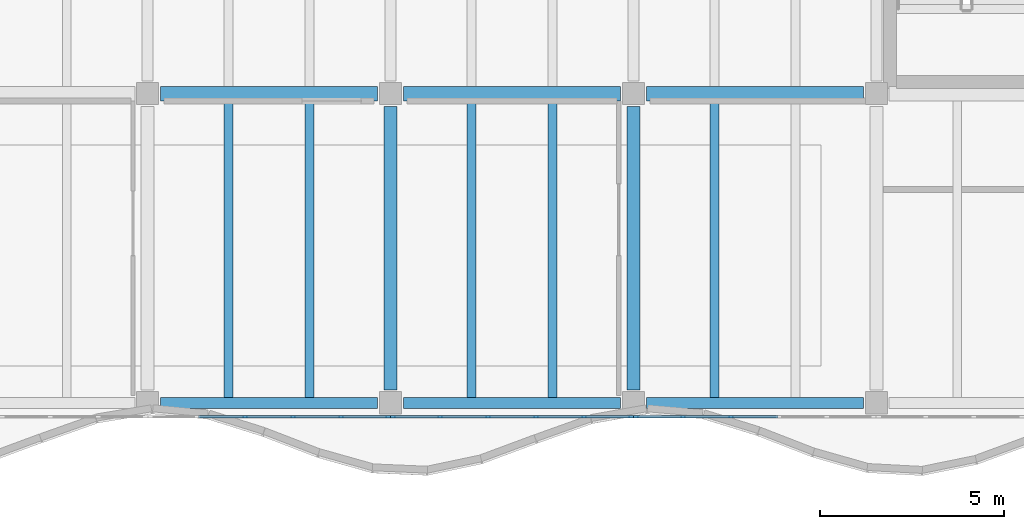
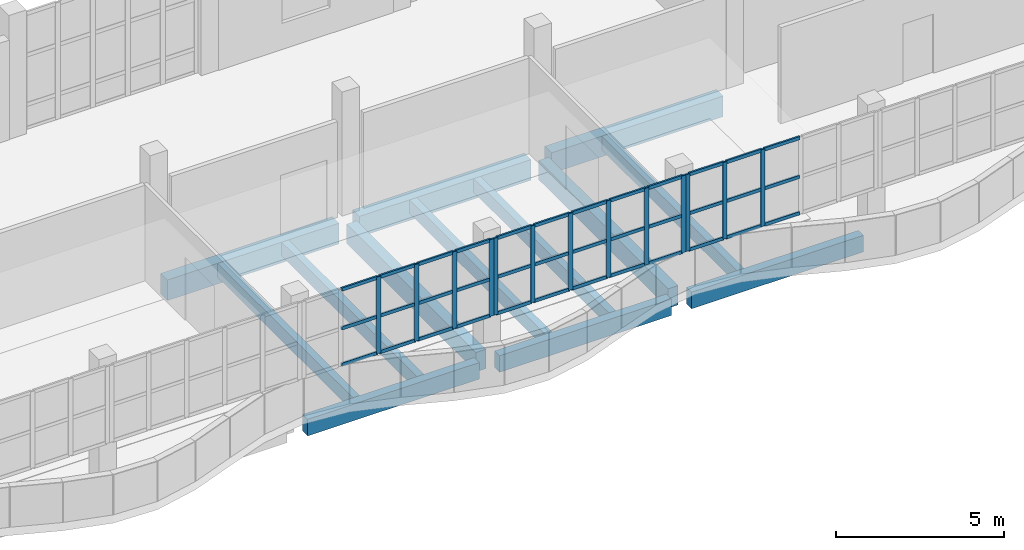
# One storey, part 12 of 76: 49 members, 13 beams, 3 elements without a shape of their own.
"""IFC4 building model written with IfcOpenShell, lengths in metres."""

from ifc_helpers import new_model, si_unit, direction, frame, origin, origin_2d, place, context, subcontext, project, spatial, rectangle, extrude, material, material_profile, profile_set, type_object, element, aggregate, save


model = new_model("IFC4")

# Units and contexts
model_context = context("Model", 3, precision=1e-05, world=origin(), true_north=direction((0.0, 1.0)))
body_context = subcontext(model_context, "Body", "Model", "MODEL_VIEW")
ifc_project = project(units=[si_unit("LENGTHUNIT", "METRE"), si_unit("AREAUNIT", "SQUARE_METRE"), si_unit("VOLUMEUNIT", "CUBIC_METRE"), si_unit("PLANEANGLEUNIT", "RADIAN"), si_unit("MASSUNIT", "GRAM", prefix="KILO")], contexts=[model_context])

# Site, building, storey
site_placement = place(None, origin())
site = spatial("IfcSite", under=ifc_project, at=site_placement, CompositionType="ELEMENT")
building_placement = place(site_placement, origin())
building = spatial("IfcBuilding", under=site, at=building_placement, Name="Qaldarim Faculty of Natural and Applied Sciences", CompositionType="ELEMENT")
storey_placement = place(building_placement, frame((0.0, 0.0, 9.89990234375)))
storey = spatial("IfcBuildingStorey", under=building, at=storey_placement, Name="L02", CompositionType="ELEMENT", Elevation=9.89990234375)

# Beams
ifc_material_1 = material(Name="Concrete C40/50", Category="concrete")
ifc_material_profile_1 = material_profile(ifc_material_1, rectangle(XDim=0.239990234375, YDim=0.5, at=origin_2d()), Name="RC-J240x500")
ifc_profile_set_1 = profile_set([ifc_material_profile_1], Name="Concrete C40/50")
beam_type_1 = type_object("IfcBeamType", Name="HeavyJoist-RC240x500", PredefinedType="JOIST", material=ifc_profile_set_1)
for number, where, z_axis, x_axis, name in (
    (1, (81.39990234375, 100.949951171875, -0.5498046875), (0.0, 1.0, 0.0), (-1.0, 0.0, 0.0), "Laboratory joist L01 bay X13Y13-1"),
    (2, (83.60009765625, 100.949951171875, -0.5498046875), (0.0, 1.0, 0.0), (-1.0, 0.0, 0.0), "Laboratory joist L01 bay X13Y13-2"),
    (3, (88.0, 100.949951171875, -0.5498046875), (0.0, 1.0, 0.0), (-1.0, 0.0, 0.0), "Laboratory joist L01 bay X14Y13-1"),
    (4, (90.199951171875, 100.949951171875, -0.5498046875), (0.0, 1.0, 0.0), (-1.0, 0.0, 0.0), "Laboratory joist L01 bay X14Y13-2"),
    (5, (94.60009765625, 100.949951171875, -0.5498046875), (0.0, 1.0, 0.0), (-1.0, 0.0, 0.0), "Laboratory joist L01 bay X15Y13-1"),
):
    element("IfcBeam", number, at=place(storey_placement, frame(where, z_axis=z_axis, x_axis=x_axis)), inside=storey, type_object=beam_type_1, Name=name, PredefinedType="JOIST", context=body_context, shape_type="SweptSolid", body=[
        extrude(rectangle(XDim=0.239990234375, YDim=0.5, at=origin_2d()), origin(), (0.0, 0.0, 1.0), 8.050048828125),
    ])
ifc_material_2 = material(Name="Concrete C50/60", Category="concrete")
ifc_material_profile_2 = material_profile(ifc_material_2, rectangle(XDim=0.39990234375, YDim=0.75, at=origin_2d()), Name="RC-B400x750")
ifc_profile_set_2 = profile_set([ifc_material_profile_2], Name="Concrete C50/60")
beam_type_2 = type_object("IfcBeamType", Name="LabGirder-RC400x750", PredefinedType="BEAM", material=ifc_profile_set_2)
beam_1_placement = place(storey_placement, frame((79.550048828125, 109.199951171875, -0.6748046875), z_axis=(1.0, 0.0, 0.0), x_axis=(0.0, 1.0, 0.0)))
element("IfcBeam", 6, at=beam_1_placement, inside=storey, type_object=beam_type_2, Name="Beam RC-B400x750 L01 X13-X14/Y14", PredefinedType="BEAM", context=body_context, shape_type="SweptSolid", body=[
    extrude(rectangle(XDim=0.39990234375, YDim=0.75, at=origin_2d()), origin(), (0.0, 0.0, 1.0), 5.89990234375),
])
beam_2_placement = place(storey_placement, frame((86.14990234375, 109.199951171875, -0.6748046875), z_axis=(1.0, 0.0, 0.0), x_axis=(0.0, 1.0, 0.0)))
element("IfcBeam", 7, at=beam_2_placement, inside=storey, type_object=beam_type_2, Name="Beam RC-B400x750 L01 X14-X15/Y14", PredefinedType="BEAM", context=body_context, shape_type="SweptSolid", body=[
    extrude(rectangle(XDim=0.39990234375, YDim=0.75, at=origin_2d()), origin(), (0.0, 0.0, 1.0), 5.900146484375),
])
beam_3_placement = place(storey_placement, frame((92.75, 109.199951171875, -0.6748046875), z_axis=(1.0, 0.0, 0.0), x_axis=(0.0, 1.0, 0.0)))
element("IfcBeam", 8, at=beam_3_placement, inside=storey, type_object=beam_type_2, Name="Beam RC-B400x750 L01 X15-X16/Y14", PredefinedType="BEAM", context=body_context, shape_type="SweptSolid", body=[
    extrude(rectangle(XDim=0.39990234375, YDim=0.75, at=origin_2d()), origin(), (0.0, 0.0, 1.0), 5.89990234375),
])

# Curtain wall, members
ifc_material_3 = material(Name="Anodised aluminium AW-6063", Category="aluminium")
curtain_wall_type = type_object("IfcCurtainWallType", Name="CurtainWallSystem-M1400", PredefinedType="USERDEFINED", material=ifc_material_3)
curtain_wall_1_placement = place(storey_placement, origin())
curtain_wall_1 = element("IfcCurtainWall", 9, at=curtain_wall_1_placement, inside=storey, type_object=curtain_wall_type, Name="Curtain wall CW-V4RIB-L02-X13", ObjectType="STICK CURTAIN WALL", PredefinedType="USERDEFINED")
ifc_material_profile_3 = material_profile(ifc_material_3, rectangle(XDim=0.06005859375, YDim=0.14990234375, at=origin_2d()), Name="ALU-M60x150")
ifc_profile_set_3 = profile_set([ifc_material_profile_3], Name="Anodised aluminium AW-6063")
member_type_1 = type_object("IfcMemberType", Name="Mullion-ALU60x150", PredefinedType="MULLION", material=ifc_profile_set_3)
member_1_placement = place(storey_placement, frame((81.847900390625, 100.419921875, 1.4501953125), z_axis=(0.0, 0.0, 1.0), x_axis=(0.0, 1.0, 0.0)))
member_1 = element("IfcMember", 10, at=member_1_placement, type_object=member_type_1, Name="Mullion 3 of CW-V4RIB-L02-X13", PredefinedType="MULLION", context=body_context, shape_type="SweptSolid", body=[
    extrude(rectangle(XDim=0.06005859375, YDim=0.14990234375, at=origin_2d()), origin(), (0.0, 0.0, 1.0), 2.789794921875),
])
member_2_placement = place(storey_placement, frame((83.152099609375, 100.419921875, 1.4501953125), z_axis=(0.0, 0.0, 1.0), x_axis=(0.0, 1.0, 0.0)))
member_2 = element("IfcMember", 11, at=member_2_placement, type_object=member_type_1, Name="Mullion 4 of CW-V4RIB-L02-X13", PredefinedType="MULLION", context=body_context, shape_type="SweptSolid", body=[
    extrude(rectangle(XDim=0.06005859375, YDim=0.14990234375, at=origin_2d()), origin(), (0.0, 0.0, 1.0), 2.789794921875),
])
member_3_placement = place(storey_placement, frame((84.4560546875, 100.419921875, 1.4501953125), z_axis=(0.0, 0.0, 1.0), x_axis=(0.0, 1.0, 0.0)))
member_3 = element("IfcMember", 12, at=member_3_placement, type_object=member_type_1, Name="Mullion 5 of CW-V4RIB-L02-X13", PredefinedType="MULLION", context=body_context, shape_type="SweptSolid", body=[
    extrude(rectangle(XDim=0.06005859375, YDim=0.14990234375, at=origin_2d()), origin(), (0.0, 0.0, 1.0), 2.789794921875),
])
member_4_placement = place(storey_placement, frame((85.72998046875, 100.419921875, 1.4501953125), z_axis=(0.0, 0.0, 1.0), x_axis=(0.0, 1.0, 0.0)))
member_4 = element("IfcMember", 13, at=member_4_placement, type_object=member_type_1, Name="Mullion 6 of CW-V4RIB-L02-X13", PredefinedType="MULLION", context=body_context, shape_type="SweptSolid", body=[
    extrude(rectangle(XDim=0.06005859375, YDim=0.14990234375, at=origin_2d()), origin(), (0.0, 0.0, 1.0), 2.789794921875),
])

curtain_wall_2_placement = place(storey_placement, origin())
curtain_wall_2 = element("IfcCurtainWall", 14, at=curtain_wall_2_placement, inside=storey, type_object=curtain_wall_type, Name="Curtain wall CW-V4RIB-L02-X14", ObjectType="STICK CURTAIN WALL", PredefinedType="USERDEFINED")
member_5_placement = place(storey_placement, frame((85.8701171875, 100.419921875, 1.4501953125), z_axis=(0.0, 0.0, 1.0), x_axis=(0.0, 1.0, 0.0)))
member_5 = element("IfcMember", 15, at=member_5_placement, type_object=member_type_1, Name="Mullion 1 of CW-V4RIB-L02-X14", PredefinedType="MULLION", context=body_context, shape_type="SweptSolid", body=[
    extrude(rectangle(XDim=0.06005859375, YDim=0.14990234375, at=origin_2d()), origin(), (0.0, 0.0, 1.0), 2.789794921875),
])
member_6_placement = place(storey_placement, frame((87.14404296875, 100.419921875, 1.4501953125), z_axis=(0.0, 0.0, 1.0), x_axis=(0.0, 1.0, 0.0)))
member_6 = element("IfcMember", 16, at=member_6_placement, type_object=member_type_1, Name="Mullion 2 of CW-V4RIB-L02-X14", PredefinedType="MULLION", context=body_context, shape_type="SweptSolid", body=[
    extrude(rectangle(XDim=0.06005859375, YDim=0.14990234375, at=origin_2d()), origin(), (0.0, 0.0, 1.0), 2.789794921875),
])
member_7_placement = place(storey_placement, frame((88.447998046875, 100.419921875, 1.4501953125), z_axis=(0.0, 0.0, 1.0), x_axis=(0.0, 1.0, 0.0)))
member_7 = element("IfcMember", 17, at=member_7_placement, type_object=member_type_1, Name="Mullion 3 of CW-V4RIB-L02-X14", PredefinedType="MULLION", context=body_context, shape_type="SweptSolid", body=[
    extrude(rectangle(XDim=0.06005859375, YDim=0.14990234375, at=origin_2d()), origin(), (0.0, 0.0, 1.0), 2.789794921875),
])
member_8_placement = place(storey_placement, frame((89.751953125, 100.419921875, 1.4501953125), z_axis=(0.0, 0.0, 1.0), x_axis=(0.0, 1.0, 0.0)))
member_8 = element("IfcMember", 18, at=member_8_placement, type_object=member_type_1, Name="Mullion 4 of CW-V4RIB-L02-X14", PredefinedType="MULLION", context=body_context, shape_type="SweptSolid", body=[
    extrude(rectangle(XDim=0.06005859375, YDim=0.14990234375, at=origin_2d()), origin(), (0.0, 0.0, 1.0), 2.789794921875),
])
member_9_placement = place(storey_placement, frame((91.055908203125, 100.419921875, 1.4501953125), z_axis=(0.0, 0.0, 1.0), x_axis=(0.0, 1.0, 0.0)))
member_9 = element("IfcMember", 19, at=member_9_placement, type_object=member_type_1, Name="Mullion 5 of CW-V4RIB-L02-X14", PredefinedType="MULLION", context=body_context, shape_type="SweptSolid", body=[
    extrude(rectangle(XDim=0.06005859375, YDim=0.14990234375, at=origin_2d()), origin(), (0.0, 0.0, 1.0), 2.789794921875),
])
member_10_placement = place(storey_placement, frame((92.330078125, 100.419921875, 1.4501953125), z_axis=(0.0, 0.0, 1.0), x_axis=(0.0, 1.0, 0.0)))
member_10 = element("IfcMember", 20, at=member_10_placement, type_object=member_type_1, Name="Mullion 6 of CW-V4RIB-L02-X14", PredefinedType="MULLION", context=body_context, shape_type="SweptSolid", body=[
    extrude(rectangle(XDim=0.06005859375, YDim=0.14990234375, at=origin_2d()), origin(), (0.0, 0.0, 1.0), 2.789794921875),
])

curtain_wall_3_placement = place(storey_placement, origin())
curtain_wall_3 = element("IfcCurtainWall", 21, at=curtain_wall_3_placement, inside=storey, type_object=curtain_wall_type, Name="Curtain wall CW-V4RIB-L02-X15", ObjectType="STICK CURTAIN WALL", PredefinedType="USERDEFINED")
member_11_placement = place(storey_placement, frame((92.469970703125, 100.419921875, 1.4501953125), z_axis=(0.0, 0.0, 1.0), x_axis=(0.0, 1.0, 0.0)))
member_11 = element("IfcMember", 22, at=member_11_placement, type_object=member_type_1, Name="Mullion 1 of CW-V4RIB-L02-X15", PredefinedType="MULLION", context=body_context, shape_type="SweptSolid", body=[
    extrude(rectangle(XDim=0.06005859375, YDim=0.14990234375, at=origin_2d()), origin(), (0.0, 0.0, 1.0), 2.789794921875),
])
member_12_placement = place(storey_placement, frame((93.743896484375, 100.419921875, 1.4501953125), z_axis=(0.0, 0.0, 1.0), x_axis=(0.0, 1.0, 0.0)))
member_12 = element("IfcMember", 23, at=member_12_placement, type_object=member_type_1, Name="Mullion 2 of CW-V4RIB-L02-X15", PredefinedType="MULLION", context=body_context, shape_type="SweptSolid", body=[
    extrude(rectangle(XDim=0.06005859375, YDim=0.14990234375, at=origin_2d()), origin(), (0.0, 0.0, 1.0), 2.789794921875),
])
member_13_placement = place(storey_placement, frame((95.048095703125, 100.419921875, 1.4501953125), z_axis=(0.0, 0.0, 1.0), x_axis=(0.0, 1.0, 0.0)))
member_13 = element("IfcMember", 24, at=member_13_placement, type_object=member_type_1, Name="Mullion 3 of CW-V4RIB-L02-X15", PredefinedType="MULLION", context=body_context, shape_type="SweptSolid", body=[
    extrude(rectangle(XDim=0.06005859375, YDim=0.14990234375, at=origin_2d()), origin(), (0.0, 0.0, 1.0), 2.789794921875),
])

# Beams
ifc_material_profile_4 = material_profile(ifc_material_1, rectangle(XDim=0.35009765625, YDim=0.699951171875, at=origin_2d()), Name="RC-B350x700")
ifc_profile_set_4 = profile_set([ifc_material_profile_4], Name="Concrete C40/50")
beam_type_3 = type_object("IfcBeamType", Name="PrimaryGirder-RC350x700", PredefinedType="BEAM", material=ifc_profile_set_4)
for number, where, z_axis, x_axis, name in (
    (25, (85.800048828125, 101.14990234375, -0.64990234375), (0.0, 1.0, 0.0), (-1.0, 0.0, 0.0), "Beam RC-B350x700 L01 X14/Y13-Y14"),
    (26, (92.39990234375, 101.14990234375, -0.64990234375), (0.0, 1.0, 0.0), (-1.0, 0.0, 0.0), "Beam RC-B350x700 L01 X15/Y13-Y14"),
):
    element("IfcBeam", number, at=place(storey_placement, frame(where, z_axis=z_axis, x_axis=x_axis)), inside=storey, type_object=beam_type_3, Name=name, PredefinedType="BEAM", context=body_context, shape_type="SweptSolid", body=[
        extrude(rectangle(XDim=0.35009765625, YDim=0.699951171875, at=origin_2d()), origin(), (0.0, 0.0, 1.0), 7.7001953125),
    ])
ifc_material_4 = material(Name="Precast concrete C40/50", Category="concrete")
ifc_material_profile_5 = material_profile(ifc_material_4, rectangle(XDim=0.300048828125, YDim=0.60009765625, at=origin_2d()), Name="RC-SP300x600")
ifc_profile_set_5 = profile_set([ifc_material_profile_5], Name="Precast concrete C40/50")
beam_type_4 = type_object("IfcBeamType", Name="SpandrelBeam-RC300x600", PredefinedType="SPANDREL", material=ifc_profile_set_5)
beam_4_placement = place(storey_placement, frame((79.550048828125, 100.800048828125, -0.599853515625), z_axis=(1.0, 0.0, 0.0), x_axis=(0.0, 1.0, 0.0)))
element("IfcBeam", 27, at=beam_4_placement, inside=storey, type_object=beam_type_4, Name="Beam RC-SP300x600 L01 X13-X14/Y13", PredefinedType="SPANDREL", context=body_context, shape_type="SweptSolid", body=[
    extrude(rectangle(XDim=0.300048828125, YDim=0.60009765625, at=origin_2d()), origin(), (0.0, 0.0, 1.0), 5.89990234375),
])
beam_5_placement = place(storey_placement, frame((86.14990234375, 100.800048828125, -0.599853515625), z_axis=(1.0, 0.0, 0.0), x_axis=(0.0, 1.0, 0.0)))
element("IfcBeam", 28, at=beam_5_placement, inside=storey, type_object=beam_type_4, Name="Beam RC-SP300x600 L01 X14-X15/Y13", PredefinedType="SPANDREL", context=body_context, shape_type="SweptSolid", body=[
    extrude(rectangle(XDim=0.300048828125, YDim=0.60009765625, at=origin_2d()), origin(), (0.0, 0.0, 1.0), 5.900146484375),
])
beam_6_placement = place(storey_placement, frame((92.75, 100.800048828125, -0.599853515625), z_axis=(1.0, 0.0, 0.0), x_axis=(0.0, 1.0, 0.0)))
element("IfcBeam", 29, at=beam_6_placement, inside=storey, type_object=beam_type_4, Name="Beam RC-SP300x600 L01 X15-X16/Y13", PredefinedType="SPANDREL", context=body_context, shape_type="SweptSolid", body=[
    extrude(rectangle(XDim=0.300048828125, YDim=0.60009765625, at=origin_2d()), origin(), (0.0, 0.0, 1.0), 5.89990234375),
])

# Member
ifc_material_profile_6 = material_profile(ifc_material_3, rectangle(XDim=0.06005859375, YDim=0.1201171875, at=origin_2d()), Name="ALU-T60x120")
ifc_profile_set_6 = profile_set([ifc_material_profile_6], Name="Anodised aluminium AW-6063")
member_type_2 = type_object("IfcMemberType", Name="Transom-ALU60x120", PredefinedType="USERDEFINED", material=ifc_profile_set_6)
member_14_placement = place(storey_placement, frame((80.573974609375, 100.419921875, 1.47998046875), z_axis=(1.0, 0.0, 0.0), x_axis=(0.0, 1.0, 0.0)))
member_14 = element("IfcMember", 30, at=member_14_placement, type_object=member_type_2, Name="Transom 2-1 of CW-V4RIB-L02-X13", ObjectType="TRANSOM", PredefinedType="USERDEFINED", context=body_context, shape_type="SweptSolid", body=[
    extrude(rectangle(XDim=0.06005859375, YDim=0.1201171875, at=origin_2d()), origin(), (0.0, 0.0, 1.0), 1.244140625),
])

member_15_placement = place(storey_placement, frame((80.573974609375, 100.419921875, 2.800048828125), z_axis=(1.0, 0.0, 0.0), x_axis=(0.0, 1.0, 0.0)))
member_15 = element("IfcMember", 31, at=member_15_placement, type_object=member_type_2, Name="Transom 2-2 of CW-V4RIB-L02-X13", ObjectType="TRANSOM", PredefinedType="USERDEFINED", context=body_context, shape_type="SweptSolid", body=[
    extrude(rectangle(XDim=0.06005859375, YDim=0.1201171875, at=origin_2d()), origin(), (0.0, 0.0, 1.0), 1.244140625),
])

member_16_placement = place(storey_placement, frame((80.573974609375, 100.419921875, 4.210205078125), z_axis=(1.0, 0.0, 0.0), x_axis=(0.0, 1.0, 0.0)))
member_16 = element("IfcMember", 32, at=member_16_placement, type_object=member_type_2, Name="Transom 2-3 of CW-V4RIB-L02-X13", ObjectType="TRANSOM", PredefinedType="USERDEFINED", context=body_context, shape_type="SweptSolid", body=[
    extrude(rectangle(XDim=0.06005859375, YDim=0.1201171875, at=origin_2d()), origin(), (0.0, 0.0, 1.0), 1.244140625),
])

member_17_placement = place(storey_placement, frame((81.8779296875, 100.419921875, 1.47998046875), z_axis=(1.0, 0.0, 0.0), x_axis=(0.0, 1.0, 0.0)))
member_17 = element("IfcMember", 33, at=member_17_placement, type_object=member_type_2, Name="Transom 3-1 of CW-V4RIB-L02-X13", ObjectType="TRANSOM", PredefinedType="USERDEFINED", context=body_context, shape_type="SweptSolid", body=[
    extrude(rectangle(XDim=0.06005859375, YDim=0.1201171875, at=origin_2d()), origin(), (0.0, 0.0, 1.0), 1.244140625),
])

member_18_placement = place(storey_placement, frame((81.8779296875, 100.419921875, 2.800048828125), z_axis=(1.0, 0.0, 0.0), x_axis=(0.0, 1.0, 0.0)))
member_18 = element("IfcMember", 34, at=member_18_placement, type_object=member_type_2, Name="Transom 3-2 of CW-V4RIB-L02-X13", ObjectType="TRANSOM", PredefinedType="USERDEFINED", context=body_context, shape_type="SweptSolid", body=[
    extrude(rectangle(XDim=0.06005859375, YDim=0.1201171875, at=origin_2d()), origin(), (0.0, 0.0, 1.0), 1.244140625),
])

member_19_placement = place(storey_placement, frame((81.8779296875, 100.419921875, 4.210205078125), z_axis=(1.0, 0.0, 0.0), x_axis=(0.0, 1.0, 0.0)))
member_19 = element("IfcMember", 35, at=member_19_placement, type_object=member_type_2, Name="Transom 3-3 of CW-V4RIB-L02-X13", ObjectType="TRANSOM", PredefinedType="USERDEFINED", context=body_context, shape_type="SweptSolid", body=[
    extrude(rectangle(XDim=0.06005859375, YDim=0.1201171875, at=origin_2d()), origin(), (0.0, 0.0, 1.0), 1.244140625),
])

member_20_placement = place(storey_placement, frame((83.181884765625, 100.419921875, 1.47998046875), z_axis=(1.0, 0.0, 0.0), x_axis=(0.0, 1.0, 0.0)))
member_20 = element("IfcMember", 36, at=member_20_placement, type_object=member_type_2, Name="Transom 4-1 of CW-V4RIB-L02-X13", ObjectType="TRANSOM", PredefinedType="USERDEFINED", context=body_context, shape_type="SweptSolid", body=[
    extrude(rectangle(XDim=0.06005859375, YDim=0.1201171875, at=origin_2d()), origin(), (0.0, 0.0, 1.0), 1.244140625),
])

member_21_placement = place(storey_placement, frame((83.181884765625, 100.419921875, 2.800048828125), z_axis=(1.0, 0.0, 0.0), x_axis=(0.0, 1.0, 0.0)))
member_21 = element("IfcMember", 37, at=member_21_placement, type_object=member_type_2, Name="Transom 4-2 of CW-V4RIB-L02-X13", ObjectType="TRANSOM", PredefinedType="USERDEFINED", context=body_context, shape_type="SweptSolid", body=[
    extrude(rectangle(XDim=0.06005859375, YDim=0.1201171875, at=origin_2d()), origin(), (0.0, 0.0, 1.0), 1.244140625),
])

member_22_placement = place(storey_placement, frame((83.181884765625, 100.419921875, 4.210205078125), z_axis=(1.0, 0.0, 0.0), x_axis=(0.0, 1.0, 0.0)))
member_22 = element("IfcMember", 38, at=member_22_placement, type_object=member_type_2, Name="Transom 4-3 of CW-V4RIB-L02-X13", ObjectType="TRANSOM", PredefinedType="USERDEFINED", context=body_context, shape_type="SweptSolid", body=[
    extrude(rectangle(XDim=0.06005859375, YDim=0.1201171875, at=origin_2d()), origin(), (0.0, 0.0, 1.0), 1.244140625),
])

member_23_placement = place(storey_placement, frame((84.486083984375, 100.419921875, 1.47998046875), z_axis=(1.0, 0.0, 0.0), x_axis=(0.0, 1.0, 0.0)))
member_23 = element("IfcMember", 39, at=member_23_placement, type_object=member_type_2, Name="Transom 5-1 of CW-V4RIB-L02-X13", ObjectType="TRANSOM", PredefinedType="USERDEFINED", context=body_context, shape_type="SweptSolid", body=[
    extrude(rectangle(XDim=0.06005859375, YDim=0.1201171875, at=origin_2d()), origin(), (0.0, 0.0, 1.0), 1.2138671875),
])

member_24_placement = place(storey_placement, frame((84.486083984375, 100.419921875, 2.800048828125), z_axis=(1.0, 0.0, 0.0), x_axis=(0.0, 1.0, 0.0)))
member_24 = element("IfcMember", 40, at=member_24_placement, type_object=member_type_2, Name="Transom 5-2 of CW-V4RIB-L02-X13", ObjectType="TRANSOM", PredefinedType="USERDEFINED", context=body_context, shape_type="SweptSolid", body=[
    extrude(rectangle(XDim=0.06005859375, YDim=0.1201171875, at=origin_2d()), origin(), (0.0, 0.0, 1.0), 1.2138671875),
])

member_25_placement = place(storey_placement, frame((84.486083984375, 100.419921875, 4.210205078125), z_axis=(1.0, 0.0, 0.0), x_axis=(0.0, 1.0, 0.0)))
member_25 = element("IfcMember", 41, at=member_25_placement, type_object=member_type_2, Name="Transom 5-3 of CW-V4RIB-L02-X13", ObjectType="TRANSOM", PredefinedType="USERDEFINED", context=body_context, shape_type="SweptSolid", body=[
    extrude(rectangle(XDim=0.06005859375, YDim=0.1201171875, at=origin_2d()), origin(), (0.0, 0.0, 1.0), 1.2138671875),
])

aggregate(curtain_wall_1, [member_1, member_2, member_3, member_4, member_14, member_15, member_16, member_17, member_18, member_19, member_20, member_21, member_22, member_23, member_24, member_25])

member_26_placement = place(storey_placement, frame((85.89990234375, 100.419921875, 1.47998046875), z_axis=(1.0, 0.0, 0.0), x_axis=(0.0, 1.0, 0.0)))
member_26 = element("IfcMember", 42, at=member_26_placement, type_object=member_type_2, Name="Transom 1-1 of CW-V4RIB-L02-X14", ObjectType="TRANSOM", PredefinedType="USERDEFINED", context=body_context, shape_type="SweptSolid", body=[
    extrude(rectangle(XDim=0.06005859375, YDim=0.1201171875, at=origin_2d()), origin(), (0.0, 0.0, 1.0), 1.214111328125),
])

member_27_placement = place(storey_placement, frame((85.89990234375, 100.419921875, 2.800048828125), z_axis=(1.0, 0.0, 0.0), x_axis=(0.0, 1.0, 0.0)))
member_27 = element("IfcMember", 43, at=member_27_placement, type_object=member_type_2, Name="Transom 1-2 of CW-V4RIB-L02-X14", ObjectType="TRANSOM", PredefinedType="USERDEFINED", context=body_context, shape_type="SweptSolid", body=[
    extrude(rectangle(XDim=0.06005859375, YDim=0.1201171875, at=origin_2d()), origin(), (0.0, 0.0, 1.0), 1.214111328125),
])

member_28_placement = place(storey_placement, frame((85.89990234375, 100.419921875, 4.210205078125), z_axis=(1.0, 0.0, 0.0), x_axis=(0.0, 1.0, 0.0)))
member_28 = element("IfcMember", 44, at=member_28_placement, type_object=member_type_2, Name="Transom 1-3 of CW-V4RIB-L02-X14", ObjectType="TRANSOM", PredefinedType="USERDEFINED", context=body_context, shape_type="SweptSolid", body=[
    extrude(rectangle(XDim=0.06005859375, YDim=0.1201171875, at=origin_2d()), origin(), (0.0, 0.0, 1.0), 1.214111328125),
])

member_29_placement = place(storey_placement, frame((87.174072265625, 100.419921875, 1.47998046875), z_axis=(1.0, 0.0, 0.0), x_axis=(0.0, 1.0, 0.0)))
member_29 = element("IfcMember", 45, at=member_29_placement, type_object=member_type_2, Name="Transom 2-1 of CW-V4RIB-L02-X14", ObjectType="TRANSOM", PredefinedType="USERDEFINED", context=body_context, shape_type="SweptSolid", body=[
    extrude(rectangle(XDim=0.06005859375, YDim=0.1201171875, at=origin_2d()), origin(), (0.0, 0.0, 1.0), 1.243896484375),
])

member_30_placement = place(storey_placement, frame((87.174072265625, 100.419921875, 2.800048828125), z_axis=(1.0, 0.0, 0.0), x_axis=(0.0, 1.0, 0.0)))
member_30 = element("IfcMember", 46, at=member_30_placement, type_object=member_type_2, Name="Transom 2-2 of CW-V4RIB-L02-X14", ObjectType="TRANSOM", PredefinedType="USERDEFINED", context=body_context, shape_type="SweptSolid", body=[
    extrude(rectangle(XDim=0.06005859375, YDim=0.1201171875, at=origin_2d()), origin(), (0.0, 0.0, 1.0), 1.243896484375),
])

member_31_placement = place(storey_placement, frame((87.174072265625, 100.419921875, 4.210205078125), z_axis=(1.0, 0.0, 0.0), x_axis=(0.0, 1.0, 0.0)))
member_31 = element("IfcMember", 47, at=member_31_placement, type_object=member_type_2, Name="Transom 2-3 of CW-V4RIB-L02-X14", ObjectType="TRANSOM", PredefinedType="USERDEFINED", context=body_context, shape_type="SweptSolid", body=[
    extrude(rectangle(XDim=0.06005859375, YDim=0.1201171875, at=origin_2d()), origin(), (0.0, 0.0, 1.0), 1.243896484375),
])

member_32_placement = place(storey_placement, frame((88.47802734375, 100.419921875, 1.47998046875), z_axis=(1.0, 0.0, 0.0), x_axis=(0.0, 1.0, 0.0)))
member_32 = element("IfcMember", 48, at=member_32_placement, type_object=member_type_2, Name="Transom 3-1 of CW-V4RIB-L02-X14", ObjectType="TRANSOM", PredefinedType="USERDEFINED", context=body_context, shape_type="SweptSolid", body=[
    extrude(rectangle(XDim=0.06005859375, YDim=0.1201171875, at=origin_2d()), origin(), (0.0, 0.0, 1.0), 1.243896484375),
])

member_33_placement = place(storey_placement, frame((88.47802734375, 100.419921875, 2.800048828125), z_axis=(1.0, 0.0, 0.0), x_axis=(0.0, 1.0, 0.0)))
member_33 = element("IfcMember", 49, at=member_33_placement, type_object=member_type_2, Name="Transom 3-2 of CW-V4RIB-L02-X14", ObjectType="TRANSOM", PredefinedType="USERDEFINED", context=body_context, shape_type="SweptSolid", body=[
    extrude(rectangle(XDim=0.06005859375, YDim=0.1201171875, at=origin_2d()), origin(), (0.0, 0.0, 1.0), 1.243896484375),
])

member_34_placement = place(storey_placement, frame((88.47802734375, 100.419921875, 4.210205078125), z_axis=(1.0, 0.0, 0.0), x_axis=(0.0, 1.0, 0.0)))
member_34 = element("IfcMember", 50, at=member_34_placement, type_object=member_type_2, Name="Transom 3-3 of CW-V4RIB-L02-X14", ObjectType="TRANSOM", PredefinedType="USERDEFINED", context=body_context, shape_type="SweptSolid", body=[
    extrude(rectangle(XDim=0.06005859375, YDim=0.1201171875, at=origin_2d()), origin(), (0.0, 0.0, 1.0), 1.243896484375),
])

member_35_placement = place(storey_placement, frame((89.781982421875, 100.419921875, 1.47998046875), z_axis=(1.0, 0.0, 0.0), x_axis=(0.0, 1.0, 0.0)))
member_35 = element("IfcMember", 51, at=member_35_placement, type_object=member_type_2, Name="Transom 4-1 of CW-V4RIB-L02-X14", ObjectType="TRANSOM", PredefinedType="USERDEFINED", context=body_context, shape_type="SweptSolid", body=[
    extrude(rectangle(XDim=0.06005859375, YDim=0.1201171875, at=origin_2d()), origin(), (0.0, 0.0, 1.0), 1.243896484375),
])

member_36_placement = place(storey_placement, frame((89.781982421875, 100.419921875, 2.800048828125), z_axis=(1.0, 0.0, 0.0), x_axis=(0.0, 1.0, 0.0)))
member_36 = element("IfcMember", 52, at=member_36_placement, type_object=member_type_2, Name="Transom 4-2 of CW-V4RIB-L02-X14", ObjectType="TRANSOM", PredefinedType="USERDEFINED", context=body_context, shape_type="SweptSolid", body=[
    extrude(rectangle(XDim=0.06005859375, YDim=0.1201171875, at=origin_2d()), origin(), (0.0, 0.0, 1.0), 1.243896484375),
])

member_37_placement = place(storey_placement, frame((89.781982421875, 100.419921875, 4.210205078125), z_axis=(1.0, 0.0, 0.0), x_axis=(0.0, 1.0, 0.0)))
member_37 = element("IfcMember", 53, at=member_37_placement, type_object=member_type_2, Name="Transom 4-3 of CW-V4RIB-L02-X14", ObjectType="TRANSOM", PredefinedType="USERDEFINED", context=body_context, shape_type="SweptSolid", body=[
    extrude(rectangle(XDim=0.06005859375, YDim=0.1201171875, at=origin_2d()), origin(), (0.0, 0.0, 1.0), 1.243896484375),
])

member_38_placement = place(storey_placement, frame((91.0859375, 100.419921875, 1.47998046875), z_axis=(1.0, 0.0, 0.0), x_axis=(0.0, 1.0, 0.0)))
member_38 = element("IfcMember", 54, at=member_38_placement, type_object=member_type_2, Name="Transom 5-1 of CW-V4RIB-L02-X14", ObjectType="TRANSOM", PredefinedType="USERDEFINED", context=body_context, shape_type="SweptSolid", body=[
    extrude(rectangle(XDim=0.06005859375, YDim=0.1201171875, at=origin_2d()), origin(), (0.0, 0.0, 1.0), 1.214111328125),
])

member_39_placement = place(storey_placement, frame((91.0859375, 100.419921875, 2.800048828125), z_axis=(1.0, 0.0, 0.0), x_axis=(0.0, 1.0, 0.0)))
member_39 = element("IfcMember", 55, at=member_39_placement, type_object=member_type_2, Name="Transom 5-2 of CW-V4RIB-L02-X14", ObjectType="TRANSOM", PredefinedType="USERDEFINED", context=body_context, shape_type="SweptSolid", body=[
    extrude(rectangle(XDim=0.06005859375, YDim=0.1201171875, at=origin_2d()), origin(), (0.0, 0.0, 1.0), 1.214111328125),
])

member_40_placement = place(storey_placement, frame((91.0859375, 100.419921875, 4.210205078125), z_axis=(1.0, 0.0, 0.0), x_axis=(0.0, 1.0, 0.0)))
member_40 = element("IfcMember", 56, at=member_40_placement, type_object=member_type_2, Name="Transom 5-3 of CW-V4RIB-L02-X14", ObjectType="TRANSOM", PredefinedType="USERDEFINED", context=body_context, shape_type="SweptSolid", body=[
    extrude(rectangle(XDim=0.06005859375, YDim=0.1201171875, at=origin_2d()), origin(), (0.0, 0.0, 1.0), 1.214111328125),
])

aggregate(curtain_wall_2, [member_5, member_6, member_7, member_8, member_9, member_10, member_26, member_27, member_28, member_29, member_30, member_31, member_32, member_33, member_34, member_35, member_36, member_37, member_38, member_39, member_40])

member_41_placement = place(storey_placement, frame((92.5, 100.419921875, 1.47998046875), z_axis=(1.0, 0.0, 0.0), x_axis=(0.0, 1.0, 0.0)))
member_41 = element("IfcMember", 57, at=member_41_placement, type_object=member_type_2, Name="Transom 1-1 of CW-V4RIB-L02-X15", ObjectType="TRANSOM", PredefinedType="USERDEFINED", context=body_context, shape_type="SweptSolid", body=[
    extrude(rectangle(XDim=0.06005859375, YDim=0.1201171875, at=origin_2d()), origin(), (0.0, 0.0, 1.0), 1.214111328125),
])

member_42_placement = place(storey_placement, frame((92.5, 100.419921875, 2.800048828125), z_axis=(1.0, 0.0, 0.0), x_axis=(0.0, 1.0, 0.0)))
member_42 = element("IfcMember", 58, at=member_42_placement, type_object=member_type_2, Name="Transom 1-2 of CW-V4RIB-L02-X15", ObjectType="TRANSOM", PredefinedType="USERDEFINED", context=body_context, shape_type="SweptSolid", body=[
    extrude(rectangle(XDim=0.06005859375, YDim=0.1201171875, at=origin_2d()), origin(), (0.0, 0.0, 1.0), 1.214111328125),
])

member_43_placement = place(storey_placement, frame((92.5, 100.419921875, 4.210205078125), z_axis=(1.0, 0.0, 0.0), x_axis=(0.0, 1.0, 0.0)))
member_43 = element("IfcMember", 59, at=member_43_placement, type_object=member_type_2, Name="Transom 1-3 of CW-V4RIB-L02-X15", ObjectType="TRANSOM", PredefinedType="USERDEFINED", context=body_context, shape_type="SweptSolid", body=[
    extrude(rectangle(XDim=0.06005859375, YDim=0.1201171875, at=origin_2d()), origin(), (0.0, 0.0, 1.0), 1.214111328125),
])

member_44_placement = place(storey_placement, frame((93.77392578125, 100.419921875, 1.47998046875), z_axis=(1.0, 0.0, 0.0), x_axis=(0.0, 1.0, 0.0)))
member_44 = element("IfcMember", 60, at=member_44_placement, type_object=member_type_2, Name="Transom 2-1 of CW-V4RIB-L02-X15", ObjectType="TRANSOM", PredefinedType="USERDEFINED", context=body_context, shape_type="SweptSolid", body=[
    extrude(rectangle(XDim=0.06005859375, YDim=0.1201171875, at=origin_2d()), origin(), (0.0, 0.0, 1.0), 1.244140625),
])

member_45_placement = place(storey_placement, frame((93.77392578125, 100.419921875, 2.800048828125), z_axis=(1.0, 0.0, 0.0), x_axis=(0.0, 1.0, 0.0)))
member_45 = element("IfcMember", 61, at=member_45_placement, type_object=member_type_2, Name="Transom 2-2 of CW-V4RIB-L02-X15", ObjectType="TRANSOM", PredefinedType="USERDEFINED", context=body_context, shape_type="SweptSolid", body=[
    extrude(rectangle(XDim=0.06005859375, YDim=0.1201171875, at=origin_2d()), origin(), (0.0, 0.0, 1.0), 1.244140625),
])

member_46_placement = place(storey_placement, frame((93.77392578125, 100.419921875, 4.210205078125), z_axis=(1.0, 0.0, 0.0), x_axis=(0.0, 1.0, 0.0)))
member_46 = element("IfcMember", 62, at=member_46_placement, type_object=member_type_2, Name="Transom 2-3 of CW-V4RIB-L02-X15", ObjectType="TRANSOM", PredefinedType="USERDEFINED", context=body_context, shape_type="SweptSolid", body=[
    extrude(rectangle(XDim=0.06005859375, YDim=0.1201171875, at=origin_2d()), origin(), (0.0, 0.0, 1.0), 1.244140625),
])

member_47_placement = place(storey_placement, frame((95.077880859375, 100.419921875, 1.47998046875), z_axis=(1.0, 0.0, 0.0), x_axis=(0.0, 1.0, 0.0)))
member_47 = element("IfcMember", 63, at=member_47_placement, type_object=member_type_2, Name="Transom 3-1 of CW-V4RIB-L02-X15", ObjectType="TRANSOM", PredefinedType="USERDEFINED", context=body_context, shape_type="SweptSolid", body=[
    extrude(rectangle(XDim=0.06005859375, YDim=0.1201171875, at=origin_2d()), origin(), (0.0, 0.0, 1.0), 1.244140625),
])

member_48_placement = place(storey_placement, frame((95.077880859375, 100.419921875, 2.800048828125), z_axis=(1.0, 0.0, 0.0), x_axis=(0.0, 1.0, 0.0)))
member_48 = element("IfcMember", 64, at=member_48_placement, type_object=member_type_2, Name="Transom 3-2 of CW-V4RIB-L02-X15", ObjectType="TRANSOM", PredefinedType="USERDEFINED", context=body_context, shape_type="SweptSolid", body=[
    extrude(rectangle(XDim=0.06005859375, YDim=0.1201171875, at=origin_2d()), origin(), (0.0, 0.0, 1.0), 1.244140625),
])

member_49_placement = place(storey_placement, frame((95.077880859375, 100.419921875, 4.210205078125), z_axis=(1.0, 0.0, 0.0), x_axis=(0.0, 1.0, 0.0)))
member_49 = element("IfcMember", 65, at=member_49_placement, type_object=member_type_2, Name="Transom 3-3 of CW-V4RIB-L02-X15", ObjectType="TRANSOM", PredefinedType="USERDEFINED", context=body_context, shape_type="SweptSolid", body=[
    extrude(rectangle(XDim=0.06005859375, YDim=0.1201171875, at=origin_2d()), origin(), (0.0, 0.0, 1.0), 1.244140625),
])

aggregate(curtain_wall_3, [member_11, member_12, member_13, member_41, member_42, member_43, member_44, member_45, member_46, member_47, member_48, member_49])

save(model, "model.ifc")
